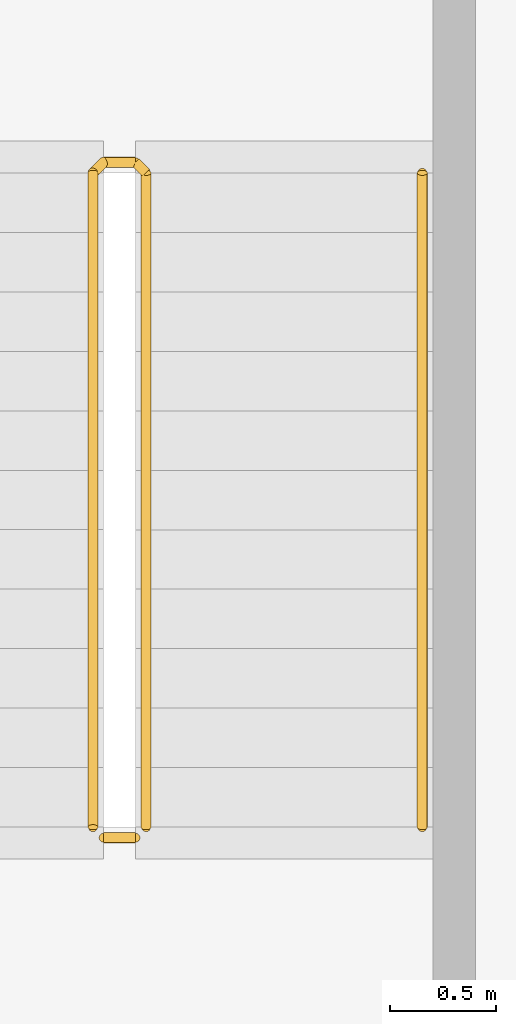
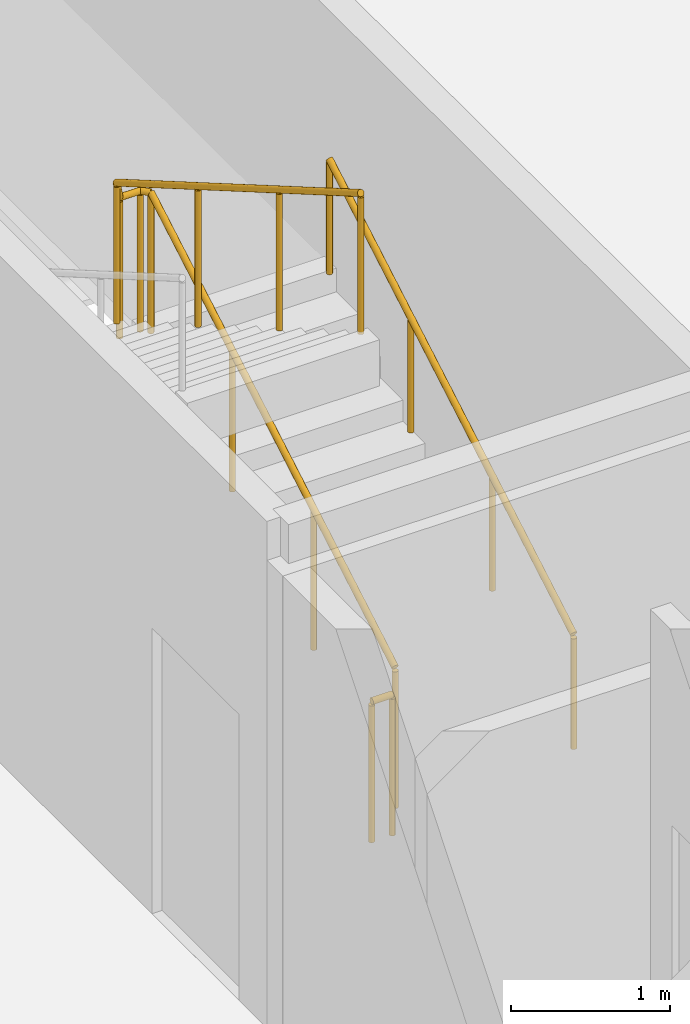
# One storey, part 18 of 19: 3 railings.
"""IFC4 building model written with IfcOpenShell, lengths in metres."""

from ifc_helpers import new_model, si_unit, direction, frame, origin, origin_2d, place, context, subcontext, project, spatial, circle, extrude, material, type_object, element, save


model = new_model("IFC4")

# Units and contexts
model_context = context("Model", 3, precision=1e-05, world=origin(), true_north=direction((0.0, 1.0)))
body_context = subcontext(model_context, "Body", "Model", "MODEL_VIEW")
ifc_project = project(units=[si_unit("LENGTHUNIT", "METRE"), si_unit("AREAUNIT", "SQUARE_METRE"), si_unit("VOLUMEUNIT", "CUBIC_METRE"), si_unit("PLANEANGLEUNIT", "RADIAN"), si_unit("MASSUNIT", "GRAM", prefix="KILO")], contexts=[model_context])

# Site, building, storey
site_placement = place(None, origin())
site = spatial("IfcSite", under=ifc_project, at=site_placement, CompositionType="ELEMENT")
building_placement = place(site_placement, origin())
building = spatial("IfcBuilding", under=site, at=building_placement, Name="Kheshtan School and Residences Tower", CompositionType="ELEMENT")
storey_placement = place(building_placement, frame((0.0, 0.0, 357.800048828125)))
storey = spatial("IfcBuildingStorey", under=building, at=storey_placement, Name="L84", CompositionType="ELEMENT", Elevation=357.800048828125)

# Railings
ifc_material_1 = material(Name="Stainless steel balustrade", Category="steel")
railing_type_1 = type_object("IfcRailingType", Name="Stair guard 1100", PredefinedType="GUARDRAIL", material=ifc_material_1)
railing_1_placement = place(storey_placement, frame((35.0, 80.89990234375, 0.162353515625)))
element("IfcRailing", 1, at=railing_1_placement, inside=storey, type_object=railing_type_1, Name="L84 ST3 stair guard 1", PredefinedType="GUARDRAIL", context=body_context, shape_type="SweptSolid", body=[
    extrude(circle(Radius=0.02392578125, at=origin_2d()), frame((0.0, 0.0, 1.076171875), z_axis=(0.0, 0.864890721111, 0.501960198159), x_axis=(-1.0, 0.0, 0.0)), (0.0, 0.0, 1.0), 3.561279296875),
    extrude(circle(Radius=0.02392578125, at=origin_2d()), frame((0.0, 3.080078125, 2.86376953125), z_axis=(-0.707106781187, 0.707106781187, 0.0), x_axis=(-0.707106781187, -0.707106781187, 0.0)), (0.0, 0.0, 1.0), 0.07080078125),
    extrude(circle(Radius=0.02392578125, at=origin_2d()), frame((-0.050048828125, 3.130126953125, 2.86376953125), z_axis=(-1.0, 0.0, 0.0), x_axis=(0.0, -1.0, 0.0)), (0.0, 0.0, 1.0), 0.14990234375),
    extrude(circle(Radius=0.02392578125, at=origin_2d()), frame((-0.199951171875, 3.130126953125, 2.86376953125), z_axis=(-0.282227285176, -0.282227285176, 0.916894497205), x_axis=(0.707106781187, -0.707106781187, 0.0)), (0.0, 0.0, 1.0), 0.17724609375),
    extrude(circle(Radius=0.02392578125, at=origin_2d()), frame((-0.25, 3.080078125, 3.0263671875), z_axis=(0.0, -0.864920483161, 0.501908913857), x_axis=(1.0, 0.0, 0.0)), (0.0, 0.0, 1.0), 3.56103515625),
    extrude(circle(Radius=0.02099609375, at=origin_2d()), origin(), (0.0, 0.0, 1.0), 1.052001953125),
    extrude(circle(Radius=0.02099609375, at=origin_2d()), frame((0.0, 1.026611328125, 0.595947265625)), (0.0, 0.0, 1.0), 1.052001953125),
    extrude(circle(Radius=0.02099609375, at=origin_2d()), frame((0.0, 2.053466796875, 1.191650390625)), (0.0, 0.0, 1.0), 1.052001953125),
    extrude(circle(Radius=0.02099609375, at=origin_2d()), frame((0.0, 3.080078125, 1.78759765625)), (0.0, 0.0, 1.0), 1.052001953125),
    extrude(circle(Radius=0.02099609375, at=origin_2d()), frame((-0.050048828125, 3.130126953125, 1.78759765625)), (0.0, 0.0, 1.0), 1.052001953125),
    extrude(circle(Radius=0.02099609375, at=origin_2d()), frame((-0.199951171875, 3.130126953125, 1.78759765625)), (0.0, 0.0, 1.0), 1.052001953125),
    extrude(circle(Radius=0.02099609375, at=origin_2d()), frame((-0.25, 3.080078125, 1.9501953125)), (0.0, 0.0, 1.0), 1.052001953125),
    extrude(circle(Radius=0.02099609375, at=origin_2d()), frame((-0.25, 2.053466796875, 2.5458984375)), (0.0, 0.0, 1.0), 1.052001953125),
    extrude(circle(Radius=0.02099609375, at=origin_2d()), frame((-0.25, 1.026611328125, 3.141845703125)), (0.0, 0.0, 1.0), 1.052001953125),
    extrude(circle(Radius=0.02099609375, at=origin_2d()), frame((-0.25, 0.0, 3.737548828125)), (0.0, 0.0, 1.0), 1.052001953125),
])
railing_2_placement = place(storey_placement, frame((34.949951171875, 80.85009765625, 0.0)))
element("IfcRailing", 2, at=railing_2_placement, inside=storey, type_object=railing_type_1, Name="L84 ST3 stair guard 2", PredefinedType="GUARDRAIL", context=body_context, shape_type="SweptSolid", body=[
    extrude(circle(Radius=0.02392578125, at=origin_2d()), frame((0.0, 0.0, 1.076171875), z_axis=(-1.0, 0.0, 0.0), x_axis=(0.0, -1.0, 0.0)), (0.0, 0.0, 1.0), 0.14990234375),
    extrude(circle(Radius=0.02099609375, at=origin_2d()), origin(), (0.0, 0.0, 1.0), 1.052001953125),
    extrude(circle(Radius=0.02099609375, at=origin_2d()), frame((-0.14990234375, 0.0, 0.0)), (0.0, 0.0, 1.0), 1.052001953125),
])
ifc_material_2 = material(Name="Stainless steel handrail", Category="steel")
railing_type_2 = type_object("IfcRailingType", Name="Stair handrail 900", PredefinedType="HANDRAIL", material=ifc_material_2)
railing_3_placement = place(storey_placement, frame((36.300048828125, 80.89990234375, 0.162353515625)))
element("IfcRailing", 3, at=railing_3_placement, inside=storey, type_object=railing_type_2, Name="L84 ST3 stair handrail 1", PredefinedType="HANDRAIL", context=body_context, shape_type="SweptSolid", body=[
    extrude(circle(Radius=0.02392578125, at=origin_2d()), frame((0.0, 0.0, 0.8759765625), z_axis=(0.0, 0.864890721111, 0.501960198159), x_axis=(-1.0, 0.0, 0.0)), (0.0, 0.0, 1.0), 3.561279296875),
    extrude(circle(Radius=0.02099609375, at=origin_2d()), origin(), (0.0, 0.0, 1.0), 0.851806640625),
    extrude(circle(Radius=0.02099609375, at=origin_2d()), frame((0.0, 1.026611328125, 0.595947265625)), (0.0, 0.0, 1.0), 0.851806640625),
    extrude(circle(Radius=0.02099609375, at=origin_2d()), frame((0.0, 2.053466796875, 1.191650390625)), (0.0, 0.0, 1.0), 0.851806640625),
    extrude(circle(Radius=0.02099609375, at=origin_2d()), frame((0.0, 3.080078125, 1.78759765625)), (0.0, 0.0, 1.0), 0.851806640625),
])

save(model, "model.ifc")
